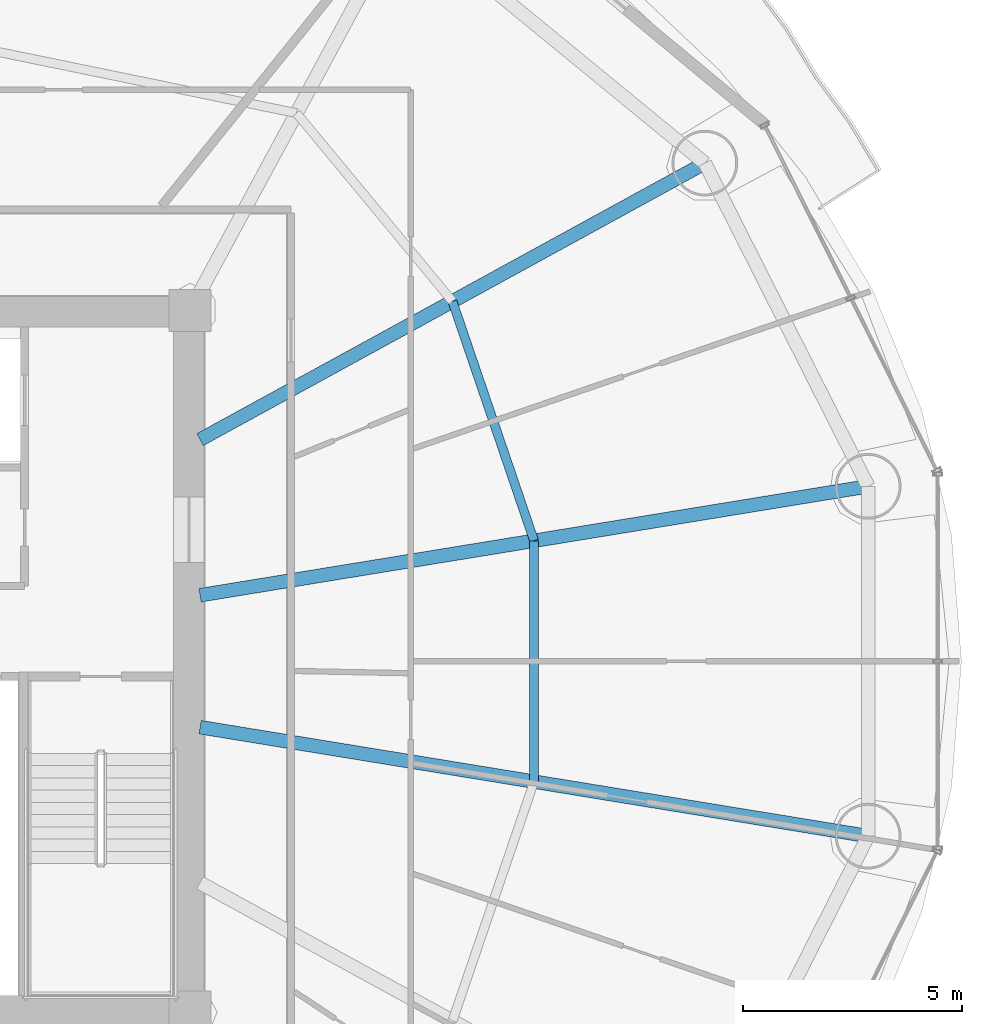
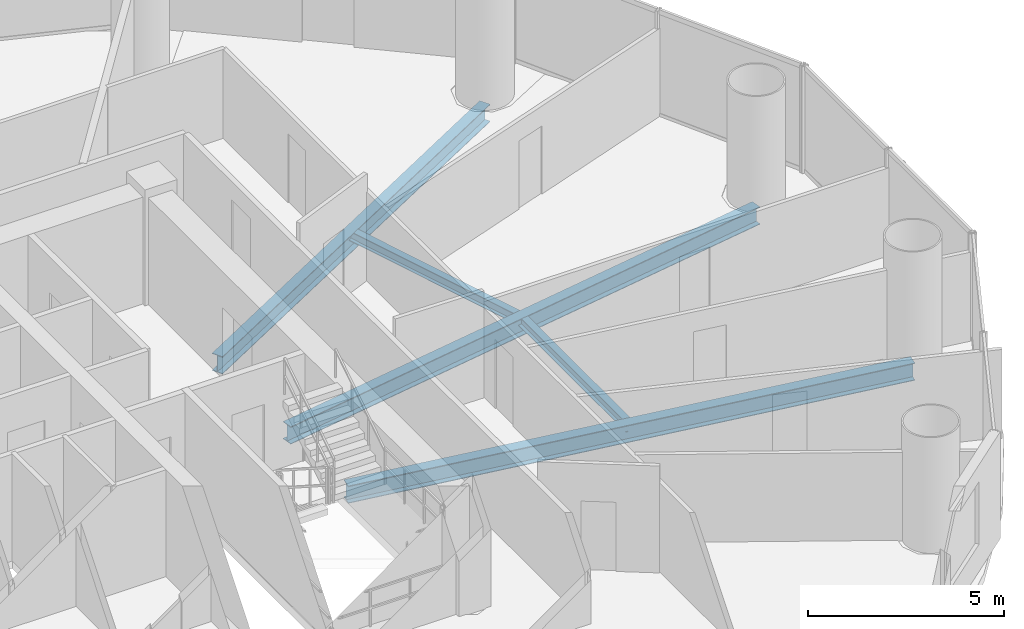
# One storey, part 14 of 29: 5 beams.
"""IFC4 building model written with IfcOpenShell, lengths in metres."""

from ifc_helpers import new_model, si_unit, direction, frame, origin, origin_2d, place, context, subcontext, project, spatial, i_section, extrude, material, material_profile, profile_set, type_object, element, save


model = new_model("IFC4")

# Units and contexts
model_context = context("Model", 3, precision=1e-05, world=origin(), true_north=direction((-0.2419218956, 0.970295726276)))
body_context = subcontext(model_context, "Body", "Model", "MODEL_VIEW")
ifc_project = project(units=[si_unit("LENGTHUNIT", "METRE"), si_unit("AREAUNIT", "SQUARE_METRE"), si_unit("VOLUMEUNIT", "CUBIC_METRE"), si_unit("PLANEANGLEUNIT", "RADIAN"), si_unit("MASSUNIT", "GRAM", prefix="KILO")], contexts=[model_context])

# Site, building, storey
site_placement = place(None, origin())
site = spatial("IfcSite", under=ifc_project, at=site_placement, CompositionType="ELEMENT")
building_placement = place(site_placement, origin())
building = spatial("IfcBuilding", under=site, at=building_placement, Name="Cobrevalo Terracotta Tower", CompositionType="ELEMENT")
storey_placement = place(building_placement, frame((0.0, 0.0, 112.199951171875)))
storey = spatial("IfcBuildingStorey", under=building, at=storey_placement, Name="L29", CompositionType="ELEMENT", Elevation=112.199951171875)

# Beams
ifc_material = material(Name="Steel S355", Category="steel")
ifc_material_profile_1 = material_profile(ifc_material, i_section(OverallWidth=0.31201171875, OverallDepth=0.54296875, WebThickness=0.0126953125, FlangeThickness=0.020263671875, at=origin_2d()), Name="W 530x150")
ifc_profile_set_1 = profile_set([ifc_material_profile_1], Name="Steel S355")
beam_type_1 = type_object("IfcBeamType", Name="Structural Beam W 530x150 (Steel S355)", PredefinedType="BEAM", material=ifc_profile_set_1)
beam_1_placement = place(storey_placement, frame((62.470703125, 30.78955078125, -0.54638671875), z_axis=(-0.986970567439, -0.160900898101, 0.0), x_axis=(0.160900898101, -0.986970567439, 0.0)))
element("IfcBeam", 1, at=beam_1_placement, inside=storey, type_object=beam_type_1, Name="L29 radial floor girder 01", PredefinedType="BEAM", context=body_context, shape_type="SweptSolid", body=[
    extrude(i_section(OverallWidth=0.31201171875, OverallDepth=0.54296875, WebThickness=0.0126953125, FlangeThickness=0.020263671875, at=origin_2d()), origin(), (0.0, 0.0, 1.0), 15.44189453125),
])
beam_2_placement = place(storey_placement, frame((58.7451171875, 38.161376953125, -0.54638671875), z_axis=(-0.877080599376, -0.480343233738, 0.0), x_axis=(0.480343233738, -0.877080599376, 0.0)))
element("IfcBeam", 2, at=beam_2_placement, inside=storey, type_object=beam_type_1, Name="L29 radial floor girder 02", PredefinedType="BEAM", context=body_context, shape_type="SweptSolid", body=[
    extrude(i_section(OverallWidth=0.31201171875, OverallDepth=0.54296875, WebThickness=0.0126953125, FlangeThickness=0.020263671875, at=origin_2d()), origin(), (0.0, 0.0, 1.0), 13.12890625),
])
beam_3_placement = place(storey_placement, frame((62.470703125, 22.810302734375, -0.54638671875), z_axis=(-0.986968056587, 0.160916298977, 0.0), x_axis=(-0.160916298977, -0.986968056587, 0.0)))
element("IfcBeam", 3, at=beam_3_placement, inside=storey, type_object=beam_type_1, Name="L29 radial floor girder 16", PredefinedType="BEAM", context=body_context, shape_type="SweptSolid", body=[
    extrude(i_section(OverallWidth=0.31201171875, OverallDepth=0.54296875, WebThickness=0.0126953125, FlangeThickness=0.020263671875, at=origin_2d()), origin(), (0.0, 0.0, 1.0), 15.44189453125),
])
ifc_material_profile_2 = material_profile(ifc_material, i_section(OverallWidth=0.2041015625, OverallDepth=0.305908203125, WebThickness=0.008544921875, FlangeThickness=0.0146484375, at=origin_2d()), Name="W 310x67")
ifc_profile_set_2 = profile_set([ifc_material_profile_2], Name="Steel S355")
beam_type_2 = type_object("IfcBeamType", Name="Structural Joist W 310x67 (Steel S355)", PredefinedType="JOIST", material=ifc_profile_set_2)
beam_4_placement = place(storey_placement, frame((54.850341796875, 29.547119140625, -0.427978515625), z_axis=(-0.322833299398, 0.94645584197, 0.0), x_axis=(-0.94645584197, -0.322833299398, 0.0)))
element("IfcBeam", 4, at=beam_4_placement, inside=storey, type_object=beam_type_2, Name="L29 circumferential secondary floor joist 01", PredefinedType="JOIST", context=body_context, shape_type="SweptSolid", body=[
    extrude(i_section(OverallWidth=0.2041015625, OverallDepth=0.305908203125, WebThickness=0.008544921875, FlangeThickness=0.0146484375, at=origin_2d()), origin(), (0.0, 0.0, 1.0), 5.77001953125),
])
beam_5_placement = place(storey_placement, frame((54.850341796875, 24.052734375, -0.427978515625), z_axis=(0.0, 1.0, 0.0), x_axis=(-1.0, 0.0, 0.0)))
element("IfcBeam", 5, at=beam_5_placement, inside=storey, type_object=beam_type_2, Name="L29 circumferential secondary floor joist 16", PredefinedType="JOIST", context=body_context, shape_type="SweptSolid", body=[
    extrude(i_section(OverallWidth=0.2041015625, OverallDepth=0.305908203125, WebThickness=0.008544921875, FlangeThickness=0.0146484375, at=origin_2d()), origin(), (0.0, 0.0, 1.0), 5.494384765625),
])

save(model, "model.ifc")
